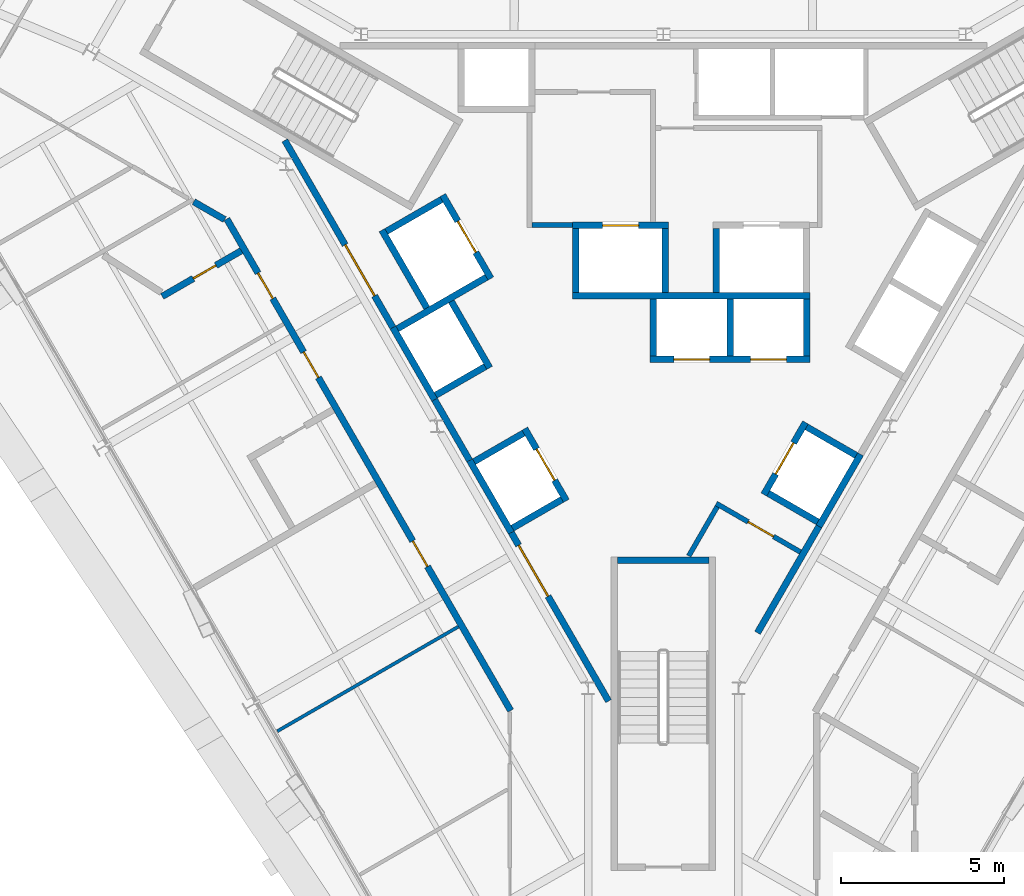
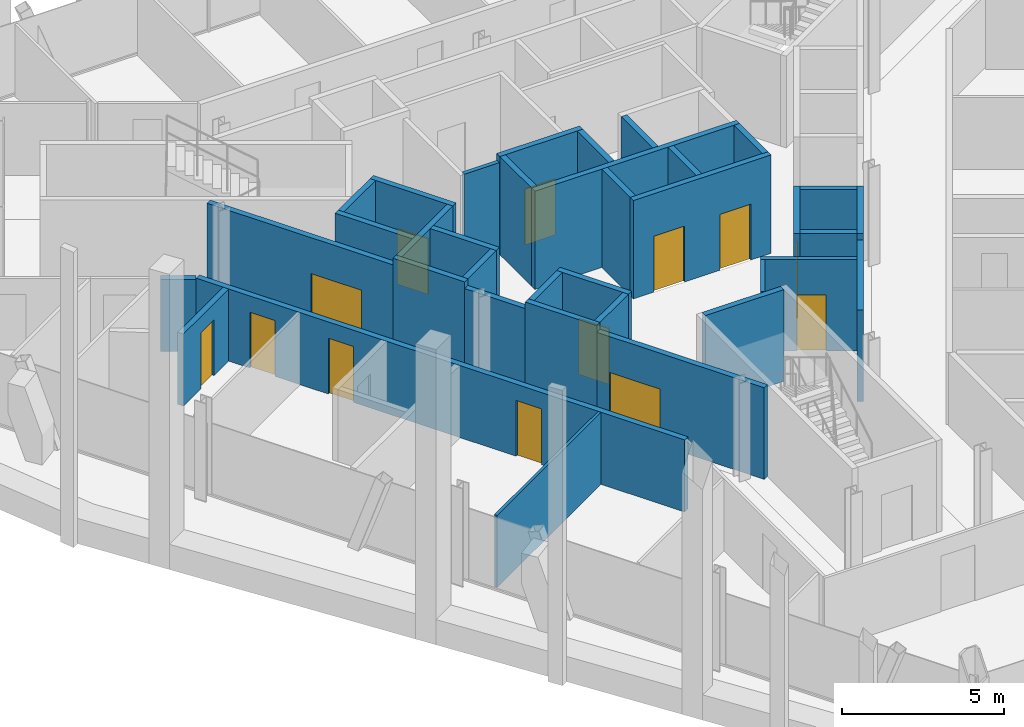
# One storey, part 11 of 16: 36 walls, 13 doors, 13 openings.
"""IFC4 building model written with IfcOpenShell, lengths in metres."""

from ifc_helpers import new_model, si_unit, direction, frame, frame_2d, origin, place, context, subcontext, project, spatial, rectangle, extrude, material, layer, layer_set, type_object, element, fill, save


model = new_model("IFC4")

# Units and contexts
model_context = context("Model", 3, precision=1e-05, world=origin(), true_north=direction((0.0, 1.0)))
body_context = subcontext(model_context, "Body", "Model", "MODEL_VIEW")
ifc_project = project(units=[si_unit("LENGTHUNIT", "METRE"), si_unit("AREAUNIT", "SQUARE_METRE"), si_unit("VOLUMEUNIT", "CUBIC_METRE"), si_unit("PLANEANGLEUNIT", "RADIAN"), si_unit("MASSUNIT", "GRAM", prefix="KILO")], contexts=[model_context])

# Site, building, storey
site_placement = place(None, origin())
site = spatial("IfcSite", under=ifc_project, at=site_placement, CompositionType="ELEMENT")
building_placement = place(site_placement, origin())
building = spatial("IfcBuilding", under=site, at=building_placement, Name="Verrane Prism Tower", CompositionType="ELEMENT")
storey_placement = place(building_placement, frame((0.0, 0.0, 247.10009765625)))
storey = spatial("IfcBuildingStorey", under=building, at=storey_placement, Name="L62", CompositionType="ELEMENT", Elevation=247.10009765625)

# Wall, opening, door
ifc_material_1 = material(Name="Gypsum board partition", Category="other")
ifc_layer_1 = layer(ifc_material_1, 0.199951171875)
ifc_layer_set_1 = layer_set([ifc_layer_1], Name="CW-200 core boundary wall 2 h")
wall_type_1 = type_object("IfcWallType", Name="CW-200 core boundary wall 2 h", PredefinedType="PARTITIONING", material=ifc_layer_set_1)
wall_1_placement = place(storey_placement, frame((-11.590576171875, 4.7548828125, 0.0), z_axis=(0.0, 0.0, 1.0), x_axis=(0.500043977787, -0.866000011708, 0.0)))
wall_1 = element("IfcWall", 1, at=wall_1_placement, inside=storey, type_object=wall_type_1, Name="Core boundary wall CW3-001", PredefinedType="PARTITIONING", context=body_context, shape_type="SweptSolid", body=[
    extrude(rectangle(XDim=6.61669921875, YDim=0.199951171875, at=frame_2d((3.308349609375, 0.0))), origin(), (0.0, 0.0, 1.0), 3.449951171875),
])
opening_1_placement = place(wall_1_placement, frame((3.695068359375, 0.0, 0.0)))
opening_1 = element("IfcOpeningElement", 2, at=opening_1_placement, cuts=wall_1, Name="Opening D62510", PredefinedType="OPENING", context=body_context, shape_type="SweptSolid", body=[
    extrude(rectangle(XDim=1.800048828125, YDim=2.10009765625, at=frame_2d((0.89990234375, 1.050048828125))), frame((0.0, 0.10986328125, 0.0), z_axis=(0.0, -1.0, 0.0), x_axis=(1.0, 0.0, 0.0)), (0.0, 0.0, 1.0), 0.219970703125),
])
ifc_material_2 = material(Name="Timber veneered door leaf", Category="wood")
door_type_1 = type_object("IfcDoorType", Name="DR-1800x2100 FD60 double leaf lift lobby", OperationType="NOTDEFINED", PredefinedType="DOOR", material=ifc_material_2)
door_1_placement = place(opening_1_placement, origin())
door_1 = element("IfcDoor", 3, at=door_1_placement, inside=storey, type_object=door_type_1, Name="Lift lobby door D62510", OperationType="DOUBLE_DOOR_SINGLE_SWING", OverallHeight=2.10009765625, OverallWidth=1.800048828125, PredefinedType="DOOR", context=body_context, shape_type="SweptSolid", body=[
    extrude(rectangle(XDim=1.800048828125, YDim=2.10009765625, at=frame_2d((0.89990234375, 1.050048828125))), frame((0.0, 0.02490234375, 0.0), z_axis=(0.0, -1.0, 0.0), x_axis=(1.0, 0.0, 0.0)), (0.0, 0.0, 1.0), 0.050048828125),
])
fill(opening_1, door_1)

# Wall
wall_2_placement = place(storey_placement, frame((-7.0048828125, -3.18701171875, 0.0), z_axis=(0.0, 0.0, 1.0), x_axis=(0.499689606989, -0.866204535123, 0.0)))
element("IfcWall", 4, at=wall_2_placement, inside=storey, type_object=wall_type_1, Name="Core boundary wall CW3-003", PredefinedType="PARTITIONING", context=body_context, shape_type="SweptSolid", body=[
    extrude(rectangle(XDim=2.144775390625, YDim=0.199951171875, at=frame_2d((1.072265625, 0.0))), origin(), (0.0, 0.0, 1.0), 3.449951171875),
])

# Wall, opening, door
wall_3_placement = place(storey_placement, frame((-4.655029296875, -7.257080078125, 0.0), z_axis=(0.0, 0.0, 1.0), x_axis=(0.499966124405, -0.866044960985, 0.0)))
wall_3 = element("IfcWall", 5, at=wall_3_placement, inside=storey, type_object=wall_type_1, Name="Core boundary wall CW3-004", PredefinedType="PARTITIONING", context=body_context, shape_type="SweptSolid", body=[
    extrude(rectangle(XDim=5.95556640625, YDim=0.199951171875, at=frame_2d((2.977783203125, 0.0))), origin(), (0.0, 0.0, 1.0), 3.449951171875),
])
opening_2_placement = place(wall_3_placement, frame((0.449951171875, 0.0, 0.0)))
opening_2 = element("IfcOpeningElement", 6, at=opening_2_placement, cuts=wall_3, Name="Opening D62511", PredefinedType="OPENING", context=body_context, shape_type="SweptSolid", body=[
    extrude(rectangle(XDim=1.800048828125, YDim=2.10009765625, at=frame_2d((0.89990234375, 1.050048828125))), frame((0.0, 0.10986328125, 0.0), z_axis=(0.0, -1.0, 0.0), x_axis=(1.0, 0.0, 0.0)), (0.0, 0.0, 1.0), 0.219970703125),
])
door_2_placement = place(opening_2_placement, origin())
door_2 = element("IfcDoor", 7, at=door_2_placement, inside=storey, type_object=door_type_1, Name="Lift lobby door D62511", OperationType="DOUBLE_DOOR_SINGLE_SWING", OverallHeight=2.10009765625, OverallWidth=1.800048828125, PredefinedType="DOOR", context=body_context, shape_type="SweptSolid", body=[
    extrude(rectangle(XDim=1.800048828125, YDim=2.10009765625, at=frame_2d((0.89990234375, 1.050048828125))), frame((0.0, 0.02490234375, 0.0), z_axis=(0.0, -1.0, 0.0), x_axis=(1.0, 0.0, 0.0)), (0.0, 0.0, 1.0), 0.050048828125),
])
fill(opening_2, door_2)

# Walls
wall_4_placement = place(storey_placement, frame((2.884033203125, -10.324951171875, 0.0), z_axis=(0.0, 0.0, 1.0), x_axis=(0.500094932804, 0.865970587366, 0.0)))
element("IfcWall", 8, at=wall_4_placement, inside=storey, type_object=wall_type_1, Name="Core boundary wall CW3-006", PredefinedType="PARTITIONING", context=body_context, shape_type="SweptSolid", body=[
    extrude(rectangle(XDim=3.763427734375, YDim=0.199951171875, at=frame_2d((1.8818359375, 0.0))), origin(), (0.0, 0.0, 1.0), 3.449951171875),
])
ifc_material_3 = material(Name="Concrete C40/50", Category="concrete")
ifc_layer_2 = layer(ifc_material_3, 0.199951171875)
ifc_layer_set_2 = layer_set([ifc_layer_2], Name="CW-200 stair core wall concrete C40/50 3 h")
wall_type_2 = type_object("IfcWallType", Name="CW-200 stair core wall concrete C40/50 3 h", PredefinedType="PARTITIONING", material=ifc_layer_set_2)
wall_5_placement = place(storey_placement, frame((-1.39990234375, -8.10009765625, 0.0), z_axis=(0.0, 0.0, 1.0), x_axis=(1.0, 0.0, 0.0)))
element("IfcWall", 9, at=wall_5_placement, inside=storey, type_object=wall_type_2, Name="Stair 3 enclosure wall", PredefinedType="PARTITIONING", context=body_context, shape_type="SweptSolid", body=[
    extrude(rectangle(XDim=2.7998046875, YDim=0.199951171875, at=frame_2d((1.39990234375, 0.0))), origin(), (0.0, 0.0, 1.0), 3.449951171875),
])

# Wall, openings, doors
ifc_material_4 = material(Name="Gypsum board shaft wall assembly", Category="other")
ifc_layer_3 = layer(ifc_material_4, 0.199951171875)
ifc_layer_set_3 = layer_set([ifc_layer_3], Name="HW-200 lift shaft wall 2 h")
wall_type_3 = type_object("IfcWallType", Name="HW-200 lift shaft wall 2 h", PredefinedType="PARTITIONING", material=ifc_layer_set_3)
wall_6_placement = place(storey_placement, frame((-0.405029296875, -1.949951171875, 0.0), z_axis=(0.0, 0.0, 1.0), x_axis=(1.0, 0.0, 0.0)))
wall_6 = element("IfcWall", 10, at=wall_6_placement, inside=storey, type_object=wall_type_3, Name="Lift shaft wall", PredefinedType="PARTITIONING", context=body_context, shape_type="SweptSolid", body=[
    extrude(rectangle(XDim=4.900146484375, YDim=0.199951171875, at=frame_2d((2.4501953125, 0.0))), origin(), (0.0, 0.0, 1.0), 3.699951171875),
])
opening_3_placement = place(wall_6_placement, frame((0.72509765625, 0.0, 0.0)))
opening_3 = element("IfcOpeningElement", 11, at=opening_3_placement, cuts=wall_6, Name="Opening D62503", PredefinedType="OPENING", context=body_context, shape_type="SweptSolid", body=[
    extrude(rectangle(XDim=1.10009765625, YDim=2.10009765625, at=frame_2d((0.550048828125, 1.050048828125))), frame((0.0, 0.10986328125, 0.0), z_axis=(0.0, -1.0, 0.0), x_axis=(1.0, 0.0, 0.0)), (0.0, 0.0, 1.0), 0.219970703125),
])
opening_4_placement = place(wall_6_placement, frame((3.074951171875, 0.0, 0.0)))
opening_4 = element("IfcOpeningElement", 12, at=opening_4_placement, cuts=wall_6, Name="Opening D62504", PredefinedType="OPENING", context=body_context, shape_type="SweptSolid", body=[
    extrude(rectangle(XDim=1.10009765625, YDim=2.10009765625, at=frame_2d((0.550048828125, 1.050048828125))), frame((0.0, 0.10986328125, 0.0), z_axis=(0.0, -1.0, 0.0), x_axis=(1.0, 0.0, 0.0)), (0.0, 0.0, 1.0), 0.219970703125),
])
ifc_material_5 = material(Name="Stainless steel sliding landing door", Category="steel")
door_type_2 = type_object("IfcDoorType", Name="LD-1100x2100 lift landing door FD90 sliding", OperationType="NOTDEFINED", PredefinedType="DOOR", material=ifc_material_5)
door_3_placement = place(opening_3_placement, origin())
door_3 = element("IfcDoor", 13, at=door_3_placement, inside=storey, type_object=door_type_2, Name="Bank B lift 1 landing door", OperationType="SLIDING_TO_LEFT", OverallHeight=2.10009765625, OverallWidth=1.10009765625, PredefinedType="DOOR", context=body_context, shape_type="SweptSolid", body=[
    extrude(rectangle(XDim=1.10009765625, YDim=2.10009765625, at=frame_2d((0.550048828125, 1.050048828125))), frame((0.0, 0.02490234375, 0.0), z_axis=(0.0, -1.0, 0.0), x_axis=(1.0, 0.0, 0.0)), (0.0, 0.0, 1.0), 0.050048828125),
])
fill(opening_3, door_3)
door_4_placement = place(opening_4_placement, origin())
door_4 = element("IfcDoor", 14, at=door_4_placement, inside=storey, type_object=door_type_2, Name="Bank B lift 2 landing door", OperationType="SLIDING_TO_RIGHT", OverallHeight=2.10009765625, OverallWidth=1.10009765625, PredefinedType="DOOR", context=body_context, shape_type="SweptSolid", body=[
    extrude(rectangle(XDim=1.10009765625, YDim=2.10009765625, at=frame_2d((0.550048828125, 1.050048828125))), frame((0.0, 0.02490234375, 0.0), z_axis=(0.0, -1.0, 0.0), x_axis=(1.0, 0.0, 0.0)), (0.0, 0.0, 1.0), 0.050048828125),
])
fill(opening_4, door_4)

# Wall
wall_7_placement = place(storey_placement, frame((-2.784912109375, 0.0, 0.0), z_axis=(0.0, 0.0, 1.0), x_axis=(1.0, 0.0, 0.0)))
element("IfcWall", 15, at=wall_7_placement, inside=storey, type_object=wall_type_3, Name="Lift shaft wall", PredefinedType="PARTITIONING", context=body_context, shape_type="SweptSolid", body=[
    extrude(rectangle(XDim=7.280029296875, YDim=0.199951171875, at=frame_2d((3.64013671875, 0.0))), origin(), (0.0, 0.0, 1.0), 3.699951171875),
])

# Wall, opening, door
wall_8_placement = place(storey_placement, frame((-2.784912109375, 2.14990234375, 0.0), z_axis=(0.0, 0.0, 1.0), x_axis=(1.0, 0.0, 0.0)))
wall_8 = element("IfcWall", 16, at=wall_8_placement, inside=storey, type_object=wall_type_3, Name="Lift shaft wall", PredefinedType="PARTITIONING", context=body_context, shape_type="SweptSolid", body=[
    extrude(rectangle(XDim=2.949951171875, YDim=0.199951171875, at=frame_2d((1.47509765625, 0.0))), origin(), (0.0, 0.0, 1.0), 3.699951171875),
])
opening_5_placement = place(wall_8_placement, frame((0.925048828125, 0.0, 0.0)))
opening_5 = element("IfcOpeningElement", 17, at=opening_5_placement, cuts=wall_8, Name="Opening D62507", PredefinedType="OPENING", context=body_context, shape_type="SweptSolid", body=[
    extrude(rectangle(XDim=1.10009765625, YDim=2.10009765625, at=frame_2d((0.550048828125, 1.050048828125))), frame((0.0, 0.10986328125, 0.0), z_axis=(0.0, -1.0, 0.0), x_axis=(1.0, 0.0, 0.0)), (0.0, 0.0, 1.0), 0.219970703125),
])
door_5_placement = place(opening_5_placement, origin())
door_5 = element("IfcDoor", 18, at=door_5_placement, inside=storey, type_object=door_type_2, Name="Fire service lift 1 landing door", OperationType="SLIDING_TO_LEFT", OverallHeight=2.10009765625, OverallWidth=1.10009765625, PredefinedType="DOOR", context=body_context, shape_type="SweptSolid", body=[
    extrude(rectangle(XDim=1.10009765625, YDim=2.10009765625, at=frame_2d((0.550048828125, 1.050048828125))), frame((0.0, 0.02490234375, 0.0), z_axis=(0.0, -1.0, 0.0), x_axis=(1.0, 0.0, 0.0)), (0.0, 0.0, 1.0), 0.050048828125),
])
fill(opening_5, door_5)

# Walls
for number, where, z_axis, x_axis, name in (
    (19, (-4.61962890625, -7.118408203125, 0.0), (0.0, 0.0, 1.0), (0.866036909293, 0.499980071345, 0.0), "Lift shaft wall"),
    (20, (-5.794677734375, -5.083251953125, 0.0), (0.0, 0.0, 1.0), (0.866036909293, 0.499980071345, 0.0), "Lift shaft wall"),
    (21, (-6.9697265625, -3.048095703125, 0.0), (0.0, 0.0, 1.0), (0.866036909293, 0.499980071345, 0.0), "Lift shaft wall"),
):
    element("IfcWall", number, at=place(storey_placement, frame(where, z_axis=z_axis, x_axis=x_axis)), inside=storey, type_object=wall_type_3, Name=name, PredefinedType="PARTITIONING", context=body_context, shape_type="SweptSolid", body=[
        extrude(rectangle(XDim=1.75, YDim=0.199951171875, at=frame_2d((0.875, 0.0))), origin(), (0.0, 0.0, 1.0), 3.699951171875),
    ])
wall_9_placement = place(storey_placement, frame((-8.14453125, -1.012939453125, 0.0), z_axis=(0.0, 0.0, 1.0), x_axis=(0.866016494683, 0.500015430699, 0.0)))
element("IfcWall", 22, at=wall_9_placement, inside=storey, type_object=wall_type_3, Name="Lift shaft wall", PredefinedType="PARTITIONING", context=body_context, shape_type="SweptSolid", body=[
    extrude(rectangle(XDim=3.14990234375, YDim=0.199951171875, at=frame_2d((1.574951171875, 0.0))), origin(), (0.0, 0.0, 1.0), 3.699951171875),
])
wall_10_placement = place(storey_placement, frame((-8.48046875, 1.968505859375, 0.0), z_axis=(0.0, 0.0, 1.0), x_axis=(0.866000020948, 0.500043961785, 0.0)))
element("IfcWall", 23, at=wall_10_placement, inside=storey, type_object=wall_type_3, Name="Lift shaft wall", PredefinedType="PARTITIONING", context=body_context, shape_type="SweptSolid", body=[
    extrude(rectangle(XDim=1.949951171875, YDim=0.199951171875, at=frame_2d((0.97509765625, 0.0))), origin(), (0.0, 0.0, 1.0), 3.699951171875),
])
wall_11_placement = place(storey_placement, frame((4.766357421875, -7.064697265625, 0.0), z_axis=(0.0, 0.0, 1.0), x_axis=(0.499948979701, 0.866054858364, 0.0)))
element("IfcWall", 24, at=wall_11_placement, inside=storey, type_object=wall_type_3, Name="Lift shaft wall", PredefinedType="PARTITIONING", context=body_context, shape_type="SweptSolid", body=[
    extrude(rectangle(XDim=2.550048828125, YDim=0.199951171875, at=frame_2d((1.27490234375, 0.0))), origin(), (0.0, 0.0, 1.0), 3.699951171875),
])

# Wall, opening, door
wall_12_placement = place(storey_placement, frame((3.077392578125, -6.089599609375, 0.0), z_axis=(0.0, 0.0, 1.0), x_axis=(0.500062241894, 0.865989465428, 0.0)))
wall_12 = element("IfcWall", 25, at=wall_12_placement, inside=storey, type_object=wall_type_3, Name="Lift shaft wall", PredefinedType="PARTITIONING", context=body_context, shape_type="SweptSolid", body=[
    extrude(rectangle(XDim=2.550048828125, YDim=0.199951171875, at=frame_2d((1.27490234375, 0.0))), origin(), (0.0, 0.0, 1.0), 3.699951171875),
])
opening_6_placement = place(wall_12_placement, frame((0.72509765625, 0.0, 0.0)))
opening_6 = element("IfcOpeningElement", 26, at=opening_6_placement, cuts=wall_12, Name="Opening D62505", PredefinedType="OPENING", context=body_context, shape_type="SweptSolid", body=[
    extrude(rectangle(XDim=1.10009765625, YDim=2.10009765625, at=frame_2d((0.550048828125, 1.050048828125))), frame((0.0, 0.10986328125, 0.0), z_axis=(0.0, -1.0, 0.0), x_axis=(1.0, 0.0, 0.0)), (0.0, 0.0, 1.0), 0.219970703125),
])
door_6_placement = place(opening_6_placement, origin())
door_6 = element("IfcDoor", 27, at=door_6_placement, inside=storey, type_object=door_type_2, Name="Bank B lift 3 landing door", OperationType="SLIDING_TO_LEFT", OverallHeight=2.10009765625, OverallWidth=1.10009765625, PredefinedType="DOOR", context=body_context, shape_type="SweptSolid", body=[
    extrude(rectangle(XDim=1.10009765625, YDim=2.10009765625, at=frame_2d((0.550048828125, 1.050048828125))), frame((0.0, 0.02490234375, 0.0), z_axis=(0.0, -1.0, 0.0), x_axis=(1.0, 0.0, 0.0)), (0.0, 0.0, 1.0), 0.050048828125),
])
fill(opening_6, door_6)

# Walls
for number, where, z_axis, x_axis, name in (
    (28, (4.39501953125, -1.85009765625, 0.0), (0.0, 0.0, 1.0), (0.0, 1.0, 0.0), "Lift shaft wall"),
    (29, (2.044921875, -1.85009765625, 0.0), (0.0, 0.0, 1.0), (0.0, 1.0, 0.0), "Lift shaft wall"),
):
    element("IfcWall", number, at=place(storey_placement, frame(where, z_axis=z_axis, x_axis=x_axis)), inside=storey, type_object=wall_type_3, Name=name, PredefinedType="PARTITIONING", context=body_context, shape_type="SweptSolid", body=[
        extrude(rectangle(XDim=1.75, YDim=0.199951171875, at=frame_2d((0.875, 0.0))), origin(), (0.0, 0.0, 1.0), 3.699951171875),
    ])
for number, where, z_axis, x_axis, name in (
    (30, (1.625, 0.10009765625, 0.0), (0.0, 0.0, 1.0), (0.0, 1.0, 0.0), "Lift shaft wall"),
    (31, (0.06494140625, 0.10009765625, 0.0), (0.0, 0.0, 1.0), (0.0, 1.0, 0.0), "Lift shaft wall"),
):
    element("IfcWall", number, at=place(storey_placement, frame(where, z_axis=z_axis, x_axis=x_axis)), inside=storey, type_object=wall_type_3, Name=name, PredefinedType="PARTITIONING", context=body_context, shape_type="SweptSolid", body=[
        extrude(rectangle(XDim=1.949951171875, YDim=0.199951171875, at=frame_2d((0.97509765625, 0.0))), origin(), (0.0, 0.0, 1.0), 3.699951171875),
    ])
wall_13_placement = place(storey_placement, frame((-0.304931640625, -1.85009765625, 0.0), z_axis=(0.0, 0.0, 1.0), x_axis=(0.0, 1.0, 0.0)))
element("IfcWall", 32, at=wall_13_placement, inside=storey, type_object=wall_type_3, Name="Lift shaft wall", PredefinedType="PARTITIONING", context=body_context, shape_type="SweptSolid", body=[
    extrude(rectangle(XDim=1.75, YDim=0.199951171875, at=frame_2d((0.875, 0.0))), origin(), (0.0, 0.0, 1.0), 3.699951171875),
])
wall_14_placement = place(storey_placement, frame((-2.68505859375, 0.10009765625, 0.0), z_axis=(0.0, 0.0, 1.0), x_axis=(0.0, 1.0, 0.0)))
element("IfcWall", 33, at=wall_14_placement, inside=storey, type_object=wall_type_3, Name="Lift shaft wall", PredefinedType="PARTITIONING", context=body_context, shape_type="SweptSolid", body=[
    extrude(rectangle(XDim=1.949951171875, YDim=0.199951171875, at=frame_2d((0.97509765625, 0.0))), origin(), (0.0, 0.0, 1.0), 3.699951171875),
])

# Wall, opening, door
wall_15_placement = place(storey_placement, frame((-5.280029296875, 0.525390625, 0.0), z_axis=(0.0, 0.0, 1.0), x_axis=(-0.500037662692, 0.866003658127, 0.0)))
wall_15 = element("IfcWall", 34, at=wall_15_placement, inside=storey, type_object=wall_type_3, Name="Lift shaft wall", PredefinedType="PARTITIONING", context=body_context, shape_type="SweptSolid", body=[
    extrude(rectangle(XDim=2.949951171875, YDim=0.199951171875, at=frame_2d((1.47509765625, 0.0))), origin(), (0.0, 0.0, 1.0), 3.699951171875),
])
opening_7_placement = place(wall_15_placement, frame((0.925048828125, 0.0, 0.0)))
opening_7 = element("IfcOpeningElement", 35, at=opening_7_placement, cuts=wall_15, Name="Opening D62509", PredefinedType="OPENING", context=body_context, shape_type="SweptSolid", body=[
    extrude(rectangle(XDim=1.10009765625, YDim=2.10009765625, at=frame_2d((0.550048828125, 1.050048828125))), frame((0.0, 0.10986328125, 0.0), z_axis=(0.0, -1.0, 0.0), x_axis=(1.0, 0.0, 0.0)), (0.0, 0.0, 1.0), 0.219970703125),
])
door_7_placement = place(opening_7_placement, origin())
door_7 = element("IfcDoor", 36, at=door_7_placement, inside=storey, type_object=door_type_2, Name="Service lift 1 landing door", OperationType="SLIDING_TO_LEFT", OverallHeight=2.10009765625, OverallWidth=1.10009765625, PredefinedType="DOOR", context=body_context, shape_type="SweptSolid", body=[
    extrude(rectangle(XDim=1.10009765625, YDim=2.10009765625, at=frame_2d((0.550048828125, 1.050048828125))), frame((0.0, 0.02490234375, 0.0), z_axis=(0.0, -1.0, 0.0), x_axis=(1.0, 0.0, 0.0)), (0.0, 0.0, 1.0), 0.050048828125),
])
fill(opening_7, door_7)

wall_16_placement = place(storey_placement, frame((-2.967529296875, -6.280029296875, 0.0), z_axis=(0.0, 0.0, 1.0), x_axis=(-0.499990435942, 0.866030925526, 0.0)))
wall_16 = element("IfcWall", 37, at=wall_16_placement, inside=storey, type_object=wall_type_3, Name="Lift shaft wall", PredefinedType="PARTITIONING", context=body_context, shape_type="SweptSolid", body=[
    extrude(rectangle(XDim=2.5498046875, YDim=0.199951171875, at=frame_2d((1.27490234375, 0.0))), origin(), (0.0, 0.0, 1.0), 3.699951171875),
])
opening_8_placement = place(wall_16_placement, frame((0.72509765625, 0.0, 0.0)))
opening_8 = element("IfcOpeningElement", 38, at=opening_8_placement, cuts=wall_16, Name="Opening D62506", PredefinedType="OPENING", context=body_context, shape_type="SweptSolid", body=[
    extrude(rectangle(XDim=1.10009765625, YDim=2.10009765625, at=frame_2d((0.550048828125, 1.050048828125))), frame((0.0, 0.10986328125, 0.0), z_axis=(0.0, -1.0, 0.0), x_axis=(1.0, 0.0, 0.0)), (0.0, 0.0, 1.0), 0.219970703125),
])
door_8_placement = place(opening_8_placement, origin())
door_8 = element("IfcDoor", 39, at=door_8_placement, inside=storey, type_object=door_type_2, Name="Bank B lift 4 landing door", OperationType="SLIDING_TO_RIGHT", OverallHeight=2.10009765625, OverallWidth=1.10009765625, PredefinedType="DOOR", context=body_context, shape_type="SweptSolid", body=[
    extrude(rectangle(XDim=1.10009765625, YDim=2.10009765625, at=frame_2d((0.550048828125, 1.050048828125))), frame((0.0, 0.02490234375, 0.0), z_axis=(0.0, -1.0, 0.0), x_axis=(1.0, 0.0, 0.0)), (0.0, 0.0, 1.0), 0.050048828125),
])
fill(opening_8, door_8)

# Walls
wall_17_placement = place(storey_placement, frame((-5.317626953125, -2.209716796875, 0.0), z_axis=(0.0, 0.0, 1.0), x_axis=(-0.499938297808, 0.866061024631, 0.0)))
element("IfcWall", 40, at=wall_17_placement, inside=storey, type_object=wall_type_3, Name="Lift shaft wall", PredefinedType="PARTITIONING", context=body_context, shape_type="SweptSolid", body=[
    extrude(rectangle(XDim=2.349853515625, YDim=0.199951171875, at=frame_2d((1.1748046875, 0.0))), origin(), (0.0, 0.0, 1.0), 3.699951171875),
])
wall_18_placement = place(storey_placement, frame((-7.241943359375, -0.37646484375, 0.0), z_axis=(0.0, 0.0, 1.0), x_axis=(-0.499996545922, 0.866027397988, 0.0)))
element("IfcWall", 41, at=wall_18_placement, inside=storey, type_object=wall_type_3, Name="Lift shaft wall", PredefinedType="PARTITIONING", context=body_context, shape_type="SweptSolid", body=[
    extrude(rectangle(XDim=2.75, YDim=0.199951171875, at=frame_2d((1.375, 0.0))), origin(), (0.0, 0.0, 1.0), 3.699951171875),
])
for number, where, z_axis, x_axis, name in (
    (42, (-4.65625, -7.255126953125, 0.0), (0.0, 0.0, 1.0), (-0.499990435942, 0.866030925526, 0.0), "Lift shaft wall"),
    (43, (-7.00634765625, -3.184814453125, 0.0), (0.0, 0.0, 1.0), (-0.499990435942, 0.866030925526, 0.0), "Lift shaft wall"),
):
    element("IfcWall", number, at=place(storey_placement, frame(where, z_axis=z_axis, x_axis=x_axis)), inside=storey, type_object=wall_type_3, Name=name, PredefinedType="PARTITIONING", context=body_context, shape_type="SweptSolid", body=[
        extrude(rectangle(XDim=2.5498046875, YDim=0.199951171875, at=frame_2d((1.27490234375, 0.0))), origin(), (0.0, 0.0, 1.0), 3.699951171875),
    ])
wall_19_placement = place(storey_placement, frame((5.904541015625, -4.892822265625, 0.0), z_axis=(0.0, 0.0, 1.0), x_axis=(-0.866002029911, 0.500040482552, 0.0)))
element("IfcWall", 44, at=wall_19_placement, inside=storey, type_object=wall_type_3, Name="Lift shaft wall", PredefinedType="PARTITIONING", context=body_context, shape_type="SweptSolid", body=[
    extrude(rectangle(XDim=1.749755859375, YDim=0.199951171875, at=frame_2d((0.875, 0.0))), origin(), (0.0, 0.0, 1.0), 3.699951171875),
])
wall_20_placement = place(storey_placement, frame((4.729736328125, -6.927978515625, 0.0), z_axis=(0.0, 0.0, 1.0), x_axis=(-0.866036909293, 0.499980071345, 0.0)))
element("IfcWall", 45, at=wall_20_placement, inside=storey, type_object=wall_type_3, Name="Lift shaft wall", PredefinedType="PARTITIONING", context=body_context, shape_type="SweptSolid", body=[
    extrude(rectangle(XDim=1.75, YDim=0.199951171875, at=frame_2d((0.875, 0.0))), origin(), (0.0, 0.0, 1.0), 3.699951171875),
])
ifc_material_6 = material(Name="Gypsum board partition", Category="other")
ifc_layer_4 = layer(ifc_material_6, 0.14990234375)
ifc_layer_set_4 = layer_set([ifc_layer_4], Name="LF-150 firefighting lobby wall 1 h")
wall_type_4 = type_object("IfcWallType", Name="LF-150 firefighting lobby wall 1 h", PredefinedType="PARTITIONING", material=ifc_layer_set_4)
wall_21_placement = place(storey_placement, frame((-4.02490234375, 2.159912109375, 0.0), z_axis=(0.0, 0.0, 1.0), x_axis=(1.0, 0.0, 0.0)))
element("IfcWall", 46, at=wall_21_placement, inside=storey, type_object=wall_type_4, Name="Firefighting lobby wall LF1-002", PredefinedType="PARTITIONING", context=body_context, shape_type="SweptSolid", body=[
    extrude(rectangle(XDim=1.23779296875, YDim=0.14990234375, at=frame_2d((0.618896484375, 0.0))), origin(), (0.0, 0.0, 1.0), 3.449951171875),
])
ifc_material_7 = material(Name="Gypsum board partition", Category="other")
ifc_layer_5 = layer(ifc_material_7, 0.10009765625)
ifc_layer_set_5 = layer_set([ifc_layer_5], Name="PW-100 room partition")
wall_type_5 = type_object("IfcWallType", Name="PW-100 room partition", PredefinedType="PARTITIONING", material=ifc_layer_set_5)
wall_22_placement = place(storey_placement, frame((-11.82080078125, -13.337158203125, 0.0), z_axis=(0.0, 0.0, 1.0), x_axis=(0.866013405822, 0.500020780506, 0.0)))
element("IfcWall", 47, at=wall_22_placement, inside=storey, type_object=wall_type_5, Name="Room partition 016", PredefinedType="PARTITIONING", context=body_context, shape_type="SweptSolid", body=[
    extrude(rectangle(XDim=6.399169921875, YDim=0.10009765625, at=frame_2d((3.19970703125, 0.0))), origin(), (0.0, 0.0, 1.0), 2.712890625),
])

# Wall, opening, door
ifc_material_8 = material(Name="Gypsum board partition", Category="other")
ifc_layer_6 = layer(ifc_material_8, 0.199951171875)
ifc_layer_set_6 = layer_set([ifc_layer_6], Name="PW-200 plumbing wall")
wall_type_6 = type_object("IfcWallType", Name="PW-200 plumbing wall", PredefinedType="PARTITIONING", material=ifc_layer_set_6)
wall_23_placement = place(storey_placement, frame((-15.345703125, -0.02294921875, 0.0), z_axis=(0.0, 0.0, 1.0), x_axis=(0.865969158485, 0.500097407065, 0.0)))
wall_23 = element("IfcWall", 48, at=wall_23_placement, inside=storey, type_object=wall_type_6, Name="Plumbing wall 010", PredefinedType="PARTITIONING", context=body_context, shape_type="SweptSolid", body=[
    extrude(rectangle(XDim=2.79931640625, YDim=0.199951171875, at=frame_2d((1.399658203125, 0.0))), origin(), (0.0, 0.0, 1.0), 2.712890625),
])
opening_9_placement = place(wall_23_placement, frame((1.10009765625, 0.0, 0.0)))
opening_9 = element("IfcOpeningElement", 49, at=opening_9_placement, cuts=wall_23, Name="Opening D62020", PredefinedType="OPENING", context=body_context, shape_type="SweptSolid", body=[
    extrude(rectangle(XDim=0.800048828125, YDim=2.10009765625, at=frame_2d((0.39990234375, 1.050048828125))), frame((0.0, 0.10986328125, 0.0), z_axis=(0.0, -1.0, 0.0), x_axis=(1.0, 0.0, 0.0)), (0.0, 0.0, 1.0), 0.219970703125),
])
ifc_material_9 = material(Name="Timber veneered door leaf", Category="wood")
door_type_3 = type_object("IfcDoorType", Name="DR-800x2100 single leaf bath", OperationType="NOTDEFINED", PredefinedType="DOOR", material=ifc_material_9)
door_9_placement = place(opening_9_placement, origin())
door_9 = element("IfcDoor", 50, at=door_9_placement, inside=storey, type_object=door_type_3, Name="Bathroom door", OperationType="SINGLE_SWING_RIGHT", OverallHeight=2.10009765625, OverallWidth=0.800048828125, PredefinedType="DOOR", context=body_context, shape_type="SweptSolid", body=[
    extrude(rectangle(XDim=0.800048828125, YDim=2.10009765625, at=frame_2d((0.39990234375, 1.050048828125))), frame((0.0, 0.02490234375, 0.0), z_axis=(0.0, -1.0, 0.0), x_axis=(1.0, 0.0, 0.0)), (0.0, 0.0, 1.0), 0.050048828125),
])
fill(opening_9, door_9)

# Wall
wall_24_placement = place(storey_placement, frame((-14.380615234375, 2.876708984375, 0.0), z_axis=(0.0, 0.0, 1.0), x_axis=(0.866215333661, -0.499670887416, 0.0)))
element("IfcWall", 51, at=wall_24_placement, inside=storey, type_object=wall_type_6, Name="Plumbing wall 011", PredefinedType="PARTITIONING", context=body_context, shape_type="SweptSolid", body=[
    extrude(rectangle(XDim=1.093017578125, YDim=0.199951171875, at=frame_2d((0.54638671875, 0.0))), origin(), (0.0, 0.0, 1.0), 2.712890625),
])

# Wall, openings, doors
wall_25_placement = place(storey_placement, frame((-4.675048828125, -12.706298828125, 0.0), z_axis=(0.0, 0.0, 1.0), x_axis=(-0.499972470324, 0.866041297467, 0.0)))
wall_25 = element("IfcWall", 52, at=wall_25_placement, inside=storey, type_object=wall_type_6, Name="Plumbing wall 013", PredefinedType="PARTITIONING", context=body_context, shape_type="SweptSolid", body=[
    extrude(rectangle(XDim=17.384765625, YDim=0.199951171875, at=frame_2d((8.6923828125, 0.0))), origin(), (0.0, 0.0, 1.0), 2.712890625),
])
opening_10_placement = place(wall_25_placement, frame((14.56982421875, 0.0, 0.0)))
opening_10 = element("IfcOpeningElement", 53, at=opening_10_placement, cuts=wall_25, Name="Opening D62019", PredefinedType="OPENING", context=body_context, shape_type="SweptSolid", body=[
    extrude(rectangle(XDim=0.89990234375, YDim=2.10009765625, at=frame_2d((0.449951171875, 1.050048828125))), frame((0.0, 0.10986328125, 0.0), z_axis=(0.0, -1.0, 0.0), x_axis=(1.0, 0.0, 0.0)), (0.0, 0.0, 1.0), 0.219970703125),
])
opening_11_placement = place(wall_25_placement, frame((11.77685546875, 0.0, 0.0)))
opening_11 = element("IfcOpeningElement", 54, at=opening_11_placement, cuts=wall_25, Name="Opening D62021", PredefinedType="OPENING", context=body_context, shape_type="SweptSolid", body=[
    extrude(rectangle(XDim=0.89990234375, YDim=2.10009765625, at=frame_2d((0.449951171875, 1.050048828125))), frame((0.0, 0.10986328125, 0.0), z_axis=(0.0, -1.0, 0.0), x_axis=(1.0, 0.0, 0.0)), (0.0, 0.0, 1.0), 0.219970703125),
])
opening_12_placement = place(wall_25_placement, frame((5.0947265625, 0.0, 0.0)))
opening_12 = element("IfcOpeningElement", 55, at=opening_12_placement, cuts=wall_25, Name="Opening D62023", PredefinedType="OPENING", context=body_context, shape_type="SweptSolid", body=[
    extrude(rectangle(XDim=0.89990234375, YDim=2.10009765625, at=frame_2d((0.449951171875, 1.050048828125))), frame((0.0, 0.10986328125, 0.0), z_axis=(0.0, -1.0, 0.0), x_axis=(1.0, 0.0, 0.0)), (0.0, 0.0, 1.0), 0.219970703125),
])
ifc_material_10 = material(Name="Timber veneered door leaf", Category="wood")
door_type_4 = type_object("IfcDoorType", Name="DR-900x2100 single leaf inner", OperationType="NOTDEFINED", PredefinedType="DOOR", material=ifc_material_10)
door_10_placement = place(opening_10_placement, origin())
door_10 = element("IfcDoor", 56, at=door_10_placement, inside=storey, type_object=door_type_4, Name="Bedroom door", OperationType="SINGLE_SWING_RIGHT", OverallHeight=2.10009765625, OverallWidth=0.89990234375, PredefinedType="DOOR", context=body_context, shape_type="SweptSolid", body=[
    extrude(rectangle(XDim=0.89990234375, YDim=2.10009765625, at=frame_2d((0.449951171875, 1.050048828125))), frame((0.0, 0.02490234375, 0.0), z_axis=(0.0, -1.0, 0.0), x_axis=(1.0, 0.0, 0.0)), (0.0, 0.0, 1.0), 0.050048828125),
])
fill(opening_10, door_10)
door_11_placement = place(opening_11_placement, origin())
door_11 = element("IfcDoor", 57, at=door_11_placement, inside=storey, type_object=door_type_4, Name="Master Bedroom door", OperationType="SINGLE_SWING_RIGHT", OverallHeight=2.10009765625, OverallWidth=0.89990234375, PredefinedType="DOOR", context=body_context, shape_type="SweptSolid", body=[
    extrude(rectangle(XDim=0.89990234375, YDim=2.10009765625, at=frame_2d((0.449951171875, 1.050048828125))), frame((0.0, 0.02490234375, 0.0), z_axis=(0.0, -1.0, 0.0), x_axis=(1.0, 0.0, 0.0)), (0.0, 0.0, 1.0), 0.050048828125),
])
fill(opening_11, door_11)
ifc_material_11 = material(Name="Timber veneered door leaf", Category="wood")
door_type_5 = type_object("IfcDoorType", Name="DR-900x2100 single leaf unit", OperationType="NOTDEFINED", PredefinedType="DOOR", material=ifc_material_11)
door_12_placement = place(opening_12_placement, origin())
door_12 = element("IfcDoor", 58, at=door_12_placement, inside=storey, type_object=door_type_5, Name="Study door", OperationType="SINGLE_SWING_RIGHT", OverallHeight=2.10009765625, OverallWidth=0.89990234375, PredefinedType="DOOR", context=body_context, shape_type="SweptSolid", body=[
    extrude(rectangle(XDim=0.89990234375, YDim=2.10009765625, at=frame_2d((0.449951171875, 1.050048828125))), frame((0.0, 0.02490234375, 0.0), z_axis=(0.0, -1.0, 0.0), x_axis=(1.0, 0.0, 0.0)), (0.0, 0.0, 1.0), 0.050048828125),
])
fill(opening_12, door_12)

# Wall
ifc_material_12 = material(Name="Gypsum board partition", Category="other")
ifc_layer_7 = layer(ifc_material_12, 0.14990234375)
ifc_layer_set_7 = layer_set([ifc_layer_7], Name="RS-150 riser enclosure wall 1 h")
wall_type_7 = type_object("IfcWallType", Name="RS-150 riser enclosure wall 1 h", PredefinedType="PARTITIONING", material=ifc_layer_set_7)
wall_26_placement = place(storey_placement, frame((0.779541015625, -7.9697265625, 0.0), z_axis=(0.0, 0.0, 1.0), x_axis=(0.500022437694, 0.866012448988, 0.0)))
element("IfcWall", 59, at=wall_26_placement, inside=storey, type_object=wall_type_7, Name="Riser wall RS3-001", PredefinedType="PARTITIONING", context=body_context, shape_type="SweptSolid", body=[
    extrude(rectangle(XDim=1.73779296875, YDim=0.14990234375, at=frame_2d((0.868896484375, 0.0))), origin(), (0.0, 0.0, 1.0), 3.449951171875),
])

# Wall, opening, door
wall_27_placement = place(storey_placement, frame((4.197509765625, -7.85009765625, 0.0), z_axis=(0.0, 0.0, 1.0), x_axis=(-0.866017493347, 0.500013701029, 0.0)))
wall_27 = element("IfcWall", 60, at=wall_27_placement, inside=storey, type_object=wall_type_7, Name="Riser wall RS3-004", PredefinedType="PARTITIONING", context=body_context, shape_type="SweptSolid", body=[
    extrude(rectangle(XDim=2.97509765625, YDim=0.14990234375, at=frame_2d((1.487548828125, 0.0))), origin(), (0.0, 0.0, 1.0), 3.449951171875),
])
opening_13_placement = place(wall_27_placement, frame((0.949951171875, 0.0, 0.0)))
opening_13 = element("IfcOpeningElement", 61, at=opening_13_placement, cuts=wall_27, Name="Opening D62516", PredefinedType="OPENING", context=body_context, shape_type="SweptSolid", body=[
    extrude(rectangle(XDim=0.89990234375, YDim=2.10009765625, at=frame_2d((0.449951171875, 1.050048828125))), frame((0.0, 0.0849609375, 0.0), z_axis=(0.0, -1.0, 0.0), x_axis=(1.0, 0.0, 0.0)), (0.0, 0.0, 1.0), 0.169921875),
])
ifc_material_13 = material(Name="Timber veneered door leaf", Category="wood")
door_type_6 = type_object("IfcDoorType", Name="DR-900x2100 FD20 single leaf store", OperationType="NOTDEFINED", PredefinedType="DOOR", material=ifc_material_13)
door_13_placement = place(opening_13_placement, origin())
door_13 = element("IfcDoor", 62, at=door_13_placement, inside=storey, type_object=door_type_6, Name="Room door D62516", OperationType="SINGLE_SWING_RIGHT", OverallHeight=2.10009765625, OverallWidth=0.89990234375, PredefinedType="DOOR", context=body_context, shape_type="SweptSolid", body=[
    extrude(rectangle(XDim=0.89990234375, YDim=2.10009765625, at=frame_2d((0.449951171875, 1.050048828125))), frame((0.0, 0.02490234375, 0.0), z_axis=(0.0, -1.0, 0.0), x_axis=(1.0, 0.0, 0.0)), (0.0, 0.0, 1.0), 0.050048828125),
])
fill(opening_13, door_13)

save(model, "model.ifc")
